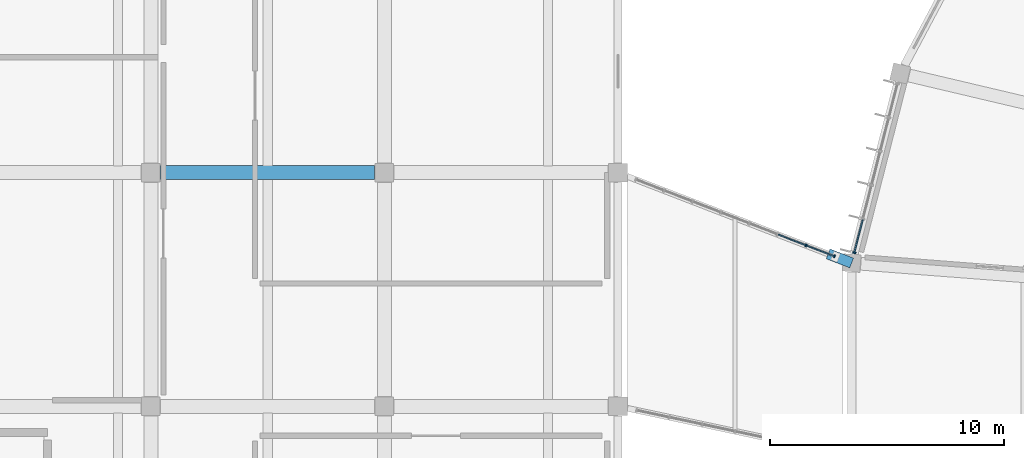
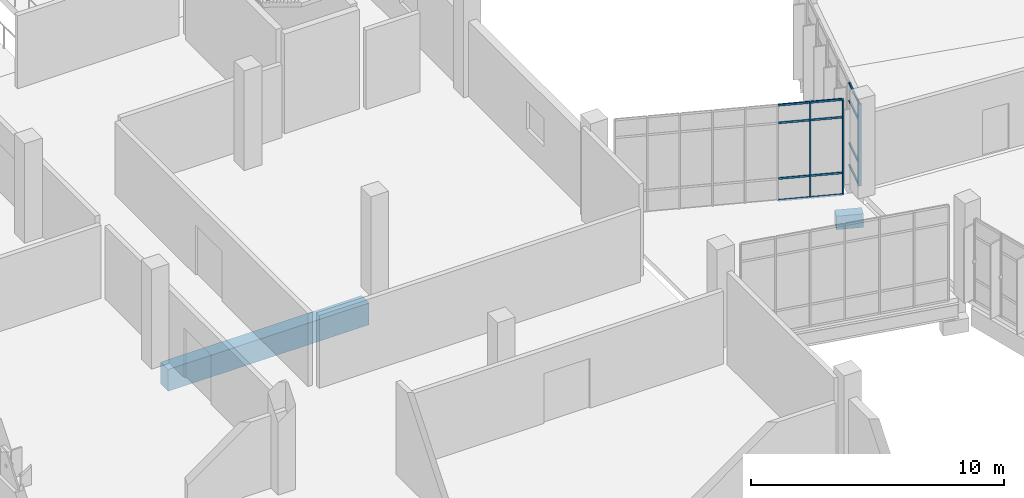
# One storey, part 6 of 179: 15 members, 2 beams, 2 elements without a shape of their own.
"""IFC4 building model written with IfcOpenShell, lengths in metres."""

from ifc_helpers import new_model, si_unit, direction, frame, origin, origin_2d, place, context, subcontext, project, spatial, rectangle, extrude, material, layer, layer_set, material_profile, profile_set, type_object, element, aggregate, save


model = new_model("IFC4")

# Units and contexts
model_context = context("Model", 3, precision=1e-05, world=origin(), true_north=direction((0.0, 1.0)))
body_context = subcontext(model_context, "Body", "Model", "MODEL_VIEW")
ifc_project = project(units=[si_unit("LENGTHUNIT", "METRE"), si_unit("AREAUNIT", "SQUARE_METRE"), si_unit("VOLUMEUNIT", "CUBIC_METRE"), si_unit("PLANEANGLEUNIT", "RADIAN"), si_unit("MASSUNIT", "GRAM", prefix="KILO")], contexts=[model_context])

# Site, building, storey
site_placement = place(None, origin())
site = spatial("IfcSite", under=ifc_project, at=site_placement, CompositionType="ELEMENT")
building_placement = place(site_placement, origin())
building = spatial("IfcBuilding", under=site, at=building_placement, Name="Corvandel Quay Wholesale Market", CompositionType="ELEMENT")
storey_placement = place(building_placement, frame((0.0, 0.0, 6.0)))
storey = spatial("IfcBuildingStorey", under=building, at=storey_placement, Name="L01", CompositionType="ELEMENT", Elevation=6.0)

# Curtain wall, members
ifc_material_1 = material(Name="Bronze anodised aluminium and low-E insulated glazing", Category="aluminium")
ifc_layer_1 = layer(ifc_material_1, 0.14990234375)
ifc_layer_set_1 = layer_set([ifc_layer_1], Name="Bronze anodised aluminium and low-E insulated glazing")
curtain_wall_type_1 = type_object("IfcCurtainWallType", Name="Stick Curtain Wall System CW20 H4800", PredefinedType="NOTDEFINED", material=ifc_layer_set_1)
curtain_wall_1_placement = place(storey_placement, origin())
curtain_wall_1 = element("IfcCurtainWall", 1, at=curtain_wall_1_placement, inside=storey, type_object=curtain_wall_type_1, Name="Curtain Wall CW-0173", PredefinedType="NOTDEFINED")
ifc_material_2 = material(Name="Anodised aluminium 6063-T6", Category="aluminium")
ifc_material_profile_1 = material_profile(ifc_material_2, rectangle(XDim=0.06005859375, YDim=0.1298828125, at=origin_2d()), Name="ALU-MUL-60x130")
ifc_profile_set_1 = profile_set([ifc_material_profile_1], Name="Anodised aluminium 6063-T6")
member_type_1 = type_object("IfcMemberType", Name="Clerestory Mullion ML03 60x130", PredefinedType="MULLION", material=ifc_profile_set_1)
member_1_placement = place(storey_placement, frame((58.04833984375, 46.890869140625, -0.030029296875), z_axis=(0.0, 0.0, 1.0), x_axis=(-0.932827815397, 0.3603224484, 0.0)))
member_1 = element("IfcMember", 2, at=member_1_placement, type_object=member_type_1, Name="Mullion CW-0173-M06", PredefinedType="MULLION", context=body_context, shape_type="SweptSolid", body=[
    extrude(rectangle(XDim=0.06005859375, YDim=0.1298828125, at=origin_2d()), origin(), (0.0, 0.0, 1.0), 4.580078125),
])
member_2_placement = place(storey_placement, frame((59.26318359375, 46.421630859375, -0.030029296875), z_axis=(0.0, 0.0, 1.0), x_axis=(-0.932827815397, 0.3603224484, 0.0)))
member_2 = element("IfcMember", 3, at=member_2_placement, type_object=member_type_1, Name="Mullion CW-0173-M07", PredefinedType="MULLION", context=body_context, shape_type="SweptSolid", body=[
    extrude(rectangle(XDim=0.06005859375, YDim=0.1298828125, at=origin_2d()), origin(), (0.0, 0.0, 1.0), 4.580078125),
])
ifc_material_profile_2 = material_profile(ifc_material_2, rectangle(XDim=0.054931640625, YDim=0.094970703125, at=origin_2d()), Name="ALU-TRN-55x95")
ifc_profile_set_2 = profile_set([ifc_material_profile_2], Name="Anodised aluminium 6063-T6")
member_type_2 = type_object("IfcMemberType", Name="Clerestory Transom TR03 55x95", PredefinedType="USERDEFINED", material=ifc_profile_set_2)
member_3_placement = place(storey_placement, frame((56.86181640625, 47.349365234375, -0.030029296875), z_axis=(0.932777109703, -0.36045369136, 0.0), x_axis=(0.36045369136, 0.932777109703, 0.0)))
member_3 = element("IfcMember", 4, at=member_3_placement, type_object=member_type_2, Name="Transom CW-0173-T05-0", ObjectType="TRANSOM", PredefinedType="USERDEFINED", context=body_context, shape_type="SweptSolid", body=[
    extrude(rectangle(XDim=0.054931640625, YDim=0.094970703125, at=origin_2d()), origin(), (0.0, 0.0, 1.0), 1.2421875),
])
member_4_placement = place(storey_placement, frame((56.86181640625, 47.349365234375, 1.02001953125), z_axis=(0.932777109703, -0.36045369136, 0.0), x_axis=(0.36045369136, 0.932777109703, 0.0)))
member_4 = element("IfcMember", 5, at=member_4_placement, type_object=member_type_2, Name="Transom CW-0173-T05-1", ObjectType="TRANSOM", PredefinedType="USERDEFINED", context=body_context, shape_type="SweptSolid", body=[
    extrude(rectangle(XDim=0.054931640625, YDim=0.094970703125, at=origin_2d()), origin(), (0.0, 0.0, 1.0), 1.2421875),
])
member_5_placement = place(storey_placement, frame((56.86181640625, 47.349365234375, 3.699951171875), z_axis=(0.932777109703, -0.36045369136, 0.0), x_axis=(0.36045369136, 0.932777109703, 0.0)))
member_5 = element("IfcMember", 6, at=member_5_placement, type_object=member_type_2, Name="Transom CW-0173-T05-2", ObjectType="TRANSOM", PredefinedType="USERDEFINED", context=body_context, shape_type="SweptSolid", body=[
    extrude(rectangle(XDim=0.054931640625, YDim=0.094970703125, at=origin_2d()), origin(), (0.0, 0.0, 1.0), 1.2421875),
])
member_6_placement = place(storey_placement, frame((56.86181640625, 47.349365234375, 4.550048828125), z_axis=(0.932777109703, -0.36045369136, 0.0), x_axis=(0.36045369136, 0.932777109703, 0.0)))
member_6 = element("IfcMember", 7, at=member_6_placement, type_object=member_type_2, Name="Transom CW-0173-T05-3", ObjectType="TRANSOM", PredefinedType="USERDEFINED", context=body_context, shape_type="SweptSolid", body=[
    extrude(rectangle(XDim=0.054931640625, YDim=0.094970703125, at=origin_2d()), origin(), (0.0, 0.0, 1.0), 1.2421875),
])
member_7_placement = place(storey_placement, frame((58.076416015625, 46.880126953125, -0.030029296875), z_axis=(0.932843179843, -0.360282669332, 0.0), x_axis=(0.360282669332, 0.932843179843, 0.0)))
member_7 = element("IfcMember", 8, at=member_7_placement, type_object=member_type_2, Name="Transom CW-0173-T06-0", ObjectType="TRANSOM", PredefinedType="USERDEFINED", context=body_context, shape_type="SweptSolid", body=[
    extrude(rectangle(XDim=0.054931640625, YDim=0.094970703125, at=origin_2d()), origin(), (0.0, 0.0, 1.0), 1.2421875),
])
member_8_placement = place(storey_placement, frame((58.076416015625, 46.880126953125, 1.02001953125), z_axis=(0.932843179843, -0.360282669332, 0.0), x_axis=(0.360282669332, 0.932843179843, 0.0)))
member_8 = element("IfcMember", 9, at=member_8_placement, type_object=member_type_2, Name="Transom CW-0173-T06-1", ObjectType="TRANSOM", PredefinedType="USERDEFINED", context=body_context, shape_type="SweptSolid", body=[
    extrude(rectangle(XDim=0.054931640625, YDim=0.094970703125, at=origin_2d()), origin(), (0.0, 0.0, 1.0), 1.2421875),
])
member_9_placement = place(storey_placement, frame((58.076416015625, 46.880126953125, 3.699951171875), z_axis=(0.932843179843, -0.360282669332, 0.0), x_axis=(0.360282669332, 0.932843179843, 0.0)))
member_9 = element("IfcMember", 10, at=member_9_placement, type_object=member_type_2, Name="Transom CW-0173-T06-2", ObjectType="TRANSOM", PredefinedType="USERDEFINED", context=body_context, shape_type="SweptSolid", body=[
    extrude(rectangle(XDim=0.054931640625, YDim=0.094970703125, at=origin_2d()), origin(), (0.0, 0.0, 1.0), 1.2421875),
])
member_10_placement = place(storey_placement, frame((58.076416015625, 46.880126953125, 4.550048828125), z_axis=(0.932843179843, -0.360282669332, 0.0), x_axis=(0.360282669332, 0.932843179843, 0.0)))
member_10 = element("IfcMember", 11, at=member_10_placement, type_object=member_type_2, Name="Transom CW-0173-T06-3", ObjectType="TRANSOM", PredefinedType="USERDEFINED", context=body_context, shape_type="SweptSolid", body=[
    extrude(rectangle(XDim=0.054931640625, YDim=0.094970703125, at=origin_2d()), origin(), (0.0, 0.0, 1.0), 1.2421875),
])
aggregate(curtain_wall_1, [member_1, member_2, member_3, member_4, member_5, member_6, member_7, member_8, member_9, member_10])

# Beam
ifc_material_3 = material(Name="Precast concrete C45/55", Category="concrete")
ifc_material_profile_3 = material_profile(ifc_material_3, rectangle(XDim=0.60009765625, YDim=1.050048828125, at=origin_2d()), Name="PC-GIR-600x1050")
ifc_profile_set_3 = profile_set([ifc_material_profile_3], Name="Precast concrete C45/55")
beam_type_1 = type_object("IfcBeamType", Name="Cold Store Primary Girder G01 600x1050", PredefinedType="USERDEFINED", material=ifc_profile_set_3)
beam_1_placement = place(storey_placement, frame((30.419921875, 50.0, -0.885009765625), z_axis=(1.0, 0.0, 0.0), x_axis=(0.0, 1.0, 0.0)))
element("IfcBeam", 12, at=beam_1_placement, inside=storey, type_object=beam_type_1, Name="Beam BM-1029", ObjectType="GIRDER", PredefinedType="USERDEFINED", context=body_context, shape_type="SweptSolid", body=[
    extrude(rectangle(XDim=0.60009765625, YDim=1.050048828125, at=origin_2d()), origin(), (0.0, 0.0, 1.0), 9.16015625),
])

# Curtain wall, members
ifc_layer_2 = layer(ifc_material_1, 0.197998046875)
ifc_layer_set_2 = layer_set([ifc_layer_2], Name="Bronze anodised aluminium and low-E insulated glazing")
curtain_wall_type_2 = type_object("IfcCurtainWallType", Name="Stick Curtain Wall System CW19 H4710", PredefinedType="NOTDEFINED", material=ifc_layer_set_2)
curtain_wall_2_placement = place(storey_placement, origin())
curtain_wall_2 = element("IfcCurtainWall", 13, at=curtain_wall_2_placement, inside=storey, type_object=curtain_wall_type_2, Name="Curtain Wall CW-0043", PredefinedType="NOTDEFINED")
ifc_material_profile_4 = material_profile(ifc_material_2, rectangle(XDim=0.06494140625, YDim=0.14990234375, at=origin_2d()), Name="ALU-MUL-65x150")
ifc_profile_set_4 = profile_set([ifc_material_profile_4], Name="Anodised aluminium 6063-T6")
member_type_3 = type_object("IfcMemberType", Name="Curtain Wall Mullion ML02 65x150", PredefinedType="MULLION", material=ifc_profile_set_4)
member_11_placement = place(storey_placement, frame((60.111572265625, 46.572998046875, 0.0), z_axis=(0.0, 0.0, 1.0), x_axis=(0.247675453076, 0.968843057437, 0.0)))
member_11 = element("IfcMember", 14, at=member_11_placement, type_object=member_type_3, Name="Mullion CW-0043-M05", PredefinedType="MULLION", context=body_context, shape_type="SweptSolid", body=[
    extrude(rectangle(XDim=0.06494140625, YDim=0.14990234375, at=origin_2d()), origin(), (0.0, 0.0, 1.0), 3.949951171875),
])
ifc_material_profile_5 = material_profile(ifc_material_2, rectangle(XDim=0.06005859375, YDim=0.110107421875, at=origin_2d()), Name="ALU-TRN-60x110")
ifc_profile_set_5 = profile_set([ifc_material_profile_5], Name="Anodised aluminium 6063-T6")
member_type_4 = type_object("IfcMemberType", Name="Curtain Wall Transom TR02 60x110", PredefinedType="USERDEFINED", material=ifc_profile_set_5)
member_12_placement = place(storey_placement, frame((60.473876953125, 47.989990234375, 0.0), z_axis=(-0.24771400443, -0.968833201335, 0.0), x_axis=(0.968833201335, -0.24771400443, 0.0)))
member_12 = element("IfcMember", 15, at=member_12_placement, type_object=member_type_4, Name="Transom CW-0043-T04-0", ObjectType="TRANSOM", PredefinedType="USERDEFINED", context=body_context, shape_type="SweptSolid", body=[
    extrude(rectangle(XDim=0.06005859375, YDim=0.110107421875, at=origin_2d()), origin(), (0.0, 0.0, 1.0), 1.43017578125),
])
member_13_placement = place(storey_placement, frame((60.473876953125, 47.989990234375, 1.050048828125), z_axis=(-0.24771400443, -0.968833201335, 0.0), x_axis=(0.968833201335, -0.24771400443, 0.0)))
member_13 = element("IfcMember", 16, at=member_13_placement, type_object=member_type_4, Name="Transom CW-0043-T04-1", ObjectType="TRANSOM", PredefinedType="USERDEFINED", context=body_context, shape_type="SweptSolid", body=[
    extrude(rectangle(XDim=0.06005859375, YDim=0.110107421875, at=origin_2d()), origin(), (0.0, 0.0, 1.0), 1.43017578125),
])
member_14_placement = place(storey_placement, frame((60.473876953125, 47.989990234375, 3.10009765625), z_axis=(-0.24771400443, -0.968833201335, 0.0), x_axis=(0.968833201335, -0.24771400443, 0.0)))
member_14 = element("IfcMember", 17, at=member_14_placement, type_object=member_type_4, Name="Transom CW-0043-T04-2", ObjectType="TRANSOM", PredefinedType="USERDEFINED", context=body_context, shape_type="SweptSolid", body=[
    extrude(rectangle(XDim=0.06005859375, YDim=0.110107421875, at=origin_2d()), origin(), (0.0, 0.0, 1.0), 1.43017578125),
])
member_15_placement = place(storey_placement, frame((60.473876953125, 47.989990234375, 3.949951171875), z_axis=(-0.24771400443, -0.968833201335, 0.0), x_axis=(0.968833201335, -0.24771400443, 0.0)))
member_15 = element("IfcMember", 18, at=member_15_placement, type_object=member_type_4, Name="Transom CW-0043-T04-3", ObjectType="TRANSOM", PredefinedType="USERDEFINED", context=body_context, shape_type="SweptSolid", body=[
    extrude(rectangle(XDim=0.06005859375, YDim=0.110107421875, at=origin_2d()), origin(), (0.0, 0.0, 1.0), 1.43017578125),
])
aggregate(curtain_wall_2, [member_11, member_12, member_13, member_14, member_15])

# Beam
ifc_material_profile_6 = material_profile(ifc_material_3, rectangle(XDim=0.449951171875, YDim=0.64990234375, at=origin_2d()), Name="PC-COR-680x650")
ifc_profile_set_6 = profile_set([ifc_material_profile_6], Name="Precast concrete C45/55")
beam_type_2 = type_object("IfcBeamType", Name="Seismic Joint Precast Corbel CB01 680x650", PredefinedType="BEAM", material=ifc_profile_set_6)
beam_2_placement = place(storey_placement, frame((60.0, 46.136962890625, -1.22802734375), z_axis=(-0.932808498164, 0.360372454211, 0.0), x_axis=(-0.360372454211, -0.932808498164, 0.0)))
element("IfcBeam", 19, at=beam_2_placement, inside=storey, type_object=beam_type_2, Name="Beam BM-1778", PredefinedType="BEAM", context=body_context, shape_type="SweptSolid", body=[
    extrude(rectangle(XDim=0.449951171875, YDim=0.64990234375, at=origin_2d()), origin(), (0.0, 0.0, 1.0), 1.079833984375),
])

save(model, "model.ifc")
